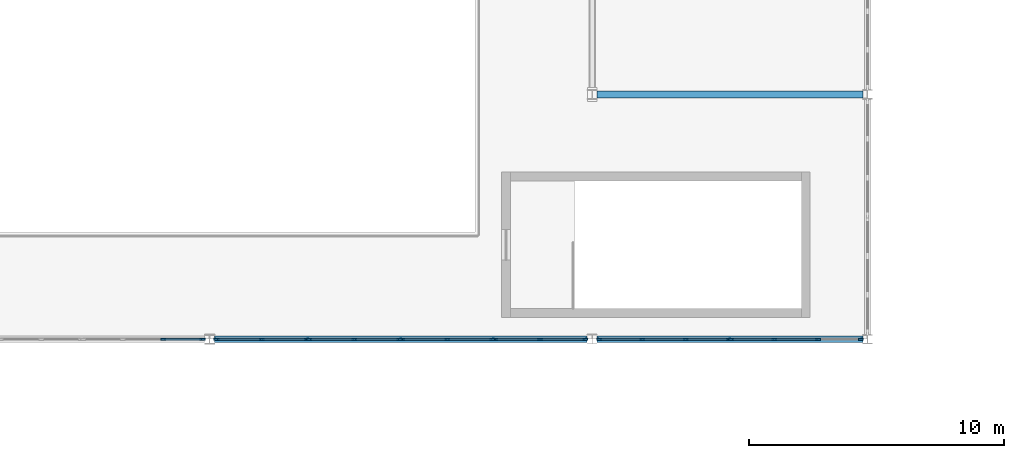
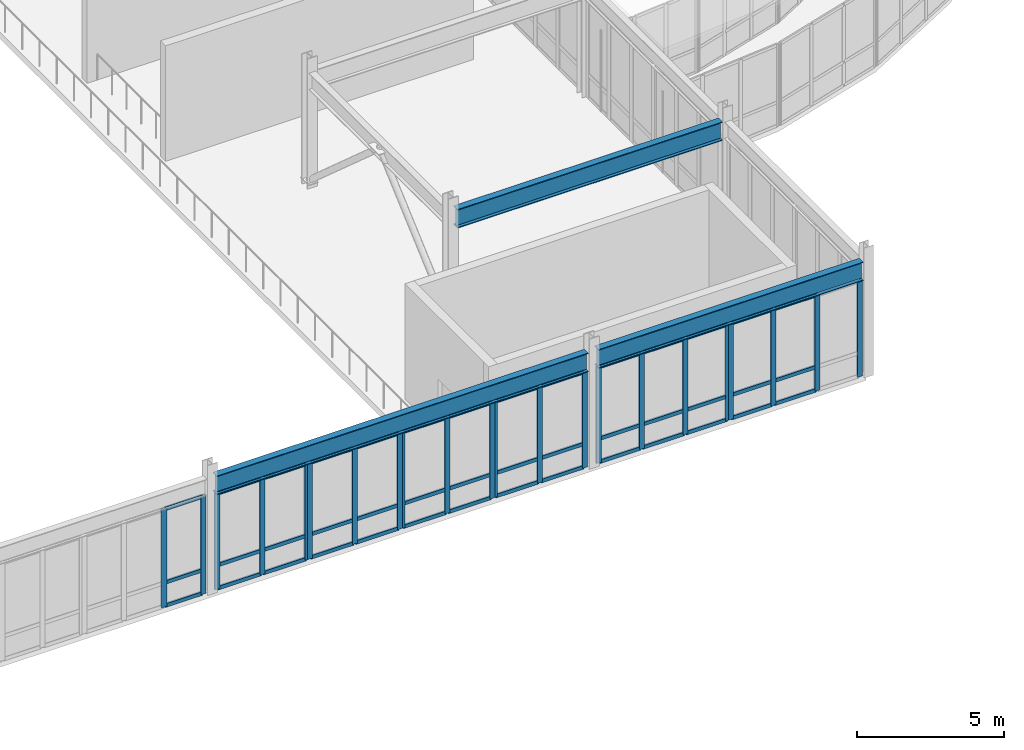
# One storey, part 15 of 68: 64 members, 3 beams, 7 elements without a shape of their own.
"""IFC4 building model written with IfcOpenShell, lengths in metres."""

from ifc_helpers import new_model, si_unit, direction, frame, origin, origin_2d, place, context, subcontext, project, spatial, rectangle, i_section, extrude, material, material_profile, profile_set, type_object, element, aggregate, save


model = new_model("IFC4")

# Units and contexts
model_context = context("Model", 3, precision=1e-05, world=origin(), true_north=direction((0.0, 1.0)))
body_context = subcontext(model_context, "Body", "Model", "MODEL_VIEW")
ifc_project = project(units=[si_unit("LENGTHUNIT", "METRE"), si_unit("AREAUNIT", "SQUARE_METRE"), si_unit("VOLUMEUNIT", "CUBIC_METRE"), si_unit("PLANEANGLEUNIT", "RADIAN"), si_unit("MASSUNIT", "GRAM", prefix="KILO")], contexts=[model_context])

# Site, building, storey
site_placement = place(None, origin())
site = spatial("IfcSite", under=ifc_project, at=site_placement, CompositionType="ELEMENT")
building_placement = place(site_placement, origin())
building = spatial("IfcBuilding", under=site, at=building_placement, Name="Veldera Park Congress Hotel", CompositionType="ELEMENT")
storey_placement = place(building_placement, frame((0.0, 0.0, 10.800048828125)))
storey = spatial("IfcBuildingStorey", under=building, at=storey_placement, Name="L02", CompositionType="ELEMENT", Elevation=10.800048828125)

# Beams
ifc_material_1 = material(Name="Steel ASTM A992 Gr.50", Category="steel")
ifc_material_profile_1 = material_profile(ifc_material_1, i_section(OverallWidth=0.26708984375, OverallDepth=0.779052734375, WebThickness=0.0166015625, FlangeThickness=0.030029296875, at=origin_2d()), Name="W30X148")
ifc_profile_set_1 = profile_set([ifc_material_profile_1], Name="Steel ASTM A992 Gr.50")
beam_type = type_object("IfcBeamType", Name="BM-W30", PredefinedType="BEAM", material=ifc_profile_set_1)
beam_1_placement = place(storey_placement, frame((-27.202880859375, -21.0, 4.410400390625), z_axis=(1.0, 0.0, 0.0), x_axis=(0.0, 1.0, 0.0)))
element("IfcBeam", 1, at=beam_1_placement, inside=storey, type_object=beam_type, Name="L02 Girder BM-W30 844", PredefinedType="BEAM", context=body_context, shape_type="SweptSolid", body=[
    extrude(i_section(OverallWidth=0.26708984375, OverallDepth=0.779052734375, WebThickness=0.0166015625, FlangeThickness=0.030029296875, at=origin_2d()), origin(), (0.0, 0.0, 1.0), 14.603271484375),
])
beam_2_placement = place(storey_placement, frame((-12.200439453125, -21.0, 4.410400390625), z_axis=(1.0, 0.0, 0.0), x_axis=(0.0, 1.0, 0.0)))
element("IfcBeam", 2, at=beam_2_placement, inside=storey, type_object=beam_type, Name="L02 Girder BM-W30 845", PredefinedType="BEAM", context=body_context, shape_type="SweptSolid", body=[
    extrude(i_section(OverallWidth=0.26708984375, OverallDepth=0.779052734375, WebThickness=0.0166015625, FlangeThickness=0.030029296875, at=origin_2d()), origin(), (0.0, 0.0, 1.0), 10.413818359375),
])
beam_3_placement = place(storey_placement, frame((-12.201416015625, -11.39990234375, 4.410400390625), z_axis=(1.0, 0.0, 0.0), x_axis=(0.0, 1.0, 0.0)))
element("IfcBeam", 3, at=beam_3_placement, inside=storey, type_object=beam_type, Name="L02 Girder BM-W30 851", PredefinedType="BEAM", context=body_context, shape_type="SweptSolid", body=[
    extrude(i_section(OverallWidth=0.26708984375, OverallDepth=0.779052734375, WebThickness=0.0166015625, FlangeThickness=0.030029296875, at=origin_2d()), origin(), (0.0, 0.0, 1.0), 10.414794921875),
])

# Curtain wall, members
ifc_material_2 = material(Name="Low-E Triple Insulating Glass Unit (SHGC 0.22)", Category="glass")
curtain_wall_type = type_object("IfcCurtainWallType", Name="CW-CNG", PredefinedType="NOTDEFINED", material=ifc_material_2)
curtain_wall_1_placement = place(storey_placement, origin())
curtain_wall_1 = element("IfcCurtainWall", 4, at=curtain_wall_1_placement, inside=storey, type_object=curtain_wall_type, Name="L02 Curtain Wall CW3-V1S-L02-058", PredefinedType="NOTDEFINED")
ifc_material_3 = material(Name="Anodised Aluminium Alloy 6063-T6", Category="aluminium")
ifc_material_profile_2 = material_profile(ifc_material_3, rectangle(XDim=0.074951171875, YDim=0.199951171875, at=origin_2d()), Name="ALU 75x200")
ifc_profile_set_2 = profile_set([ifc_material_profile_2], Name="Anodised Aluminium Alloy 6063-T6")
member_type_1 = type_object("IfcMemberType", Name="CWM-200", PredefinedType="MULLION", material=ifc_profile_set_2)
member_1_placement = place(storey_placement, frame((-29.2197265625, -21.0, 0.0), z_axis=(0.0, 0.0, 1.0), x_axis=(0.0, 1.0, 0.0)))
member_1 = element("IfcMember", 5, at=member_1_placement, type_object=member_type_1, Name="CW-CNG mullion 3", PredefinedType="MULLION", context=body_context, shape_type="SweptSolid", body=[
    extrude(rectangle(XDim=0.074951171875, YDim=0.199951171875, at=origin_2d()), origin(), (0.0, 0.0, 1.0), 4.093994140625),
])
member_2_placement = place(storey_placement, frame((-27.674560546875, -21.0, 0.0), z_axis=(0.0, 0.0, 1.0), x_axis=(0.0, 1.0, 0.0)))
member_2 = element("IfcMember", 6, at=member_2_placement, type_object=member_type_1, Name="CW-CNG mullion 4", PredefinedType="MULLION", context=body_context, shape_type="SweptSolid", body=[
    extrude(rectangle(XDim=0.074951171875, YDim=0.199951171875, at=origin_2d()), origin(), (0.0, 0.0, 1.0), 4.093994140625),
])

curtain_wall_2_placement = place(storey_placement, origin())
curtain_wall_2 = element("IfcCurtainWall", 7, at=curtain_wall_2_placement, inside=storey, type_object=curtain_wall_type, Name="L02 Curtain Wall CW3-V1S-L02-059", PredefinedType="NOTDEFINED")
member_3_placement = place(storey_placement, frame((-27.12548828125, -21.0, 0.0), z_axis=(0.0, 0.0, 1.0), x_axis=(0.0, 1.0, 0.0)))
member_3 = element("IfcMember", 8, at=member_3_placement, type_object=member_type_1, Name="CW-CNG mullion 1", PredefinedType="MULLION", context=body_context, shape_type="SweptSolid", body=[
    extrude(rectangle(XDim=0.074951171875, YDim=0.199951171875, at=origin_2d()), origin(), (0.0, 0.0, 1.0), 4.015869140625),
])
member_4_placement = place(storey_placement, frame((-25.35888671875, -21.0, 0.0), z_axis=(0.0, 0.0, 1.0), x_axis=(0.0, 1.0, 0.0)))
member_4 = element("IfcMember", 9, at=member_4_placement, type_object=member_type_1, Name="CW-CNG mullion 2", PredefinedType="MULLION", context=body_context, shape_type="SweptSolid", body=[
    extrude(rectangle(XDim=0.074951171875, YDim=0.199951171875, at=origin_2d()), origin(), (0.0, 0.0, 1.0), 4.015869140625),
])
member_5_placement = place(storey_placement, frame((-23.592041015625, -21.0, 0.0), z_axis=(0.0, 0.0, 1.0), x_axis=(0.0, 1.0, 0.0)))
member_5 = element("IfcMember", 10, at=member_5_placement, type_object=member_type_1, Name="CW-CNG mullion 3", PredefinedType="MULLION", context=body_context, shape_type="SweptSolid", body=[
    extrude(rectangle(XDim=0.074951171875, YDim=0.199951171875, at=origin_2d()), origin(), (0.0, 0.0, 1.0), 4.015869140625),
])

curtain_wall_3_placement = place(storey_placement, origin())
curtain_wall_3 = element("IfcCurtainWall", 11, at=curtain_wall_3_placement, inside=storey, type_object=curtain_wall_type, Name="L02 Curtain Wall CW3-V1S-L02-060", PredefinedType="NOTDEFINED")
member_6_placement = place(storey_placement, frame((-23.487060546875, -21.0, 0.0), z_axis=(0.0, 0.0, 1.0), x_axis=(0.0, 1.0, 0.0)))
member_6 = element("IfcMember", 12, at=member_6_placement, type_object=member_type_1, Name="CW-CNG mullion 1", PredefinedType="MULLION", context=body_context, shape_type="SweptSolid", body=[
    extrude(rectangle(XDim=0.074951171875, YDim=0.199951171875, at=origin_2d()), origin(), (0.0, 0.0, 1.0), 4.015869140625),
])
member_7_placement = place(storey_placement, frame((-21.720458984375, -21.0, 0.0), z_axis=(0.0, 0.0, 1.0), x_axis=(0.0, 1.0, 0.0)))
member_7 = element("IfcMember", 13, at=member_7_placement, type_object=member_type_1, Name="CW-CNG mullion 2", PredefinedType="MULLION", context=body_context, shape_type="SweptSolid", body=[
    extrude(rectangle(XDim=0.074951171875, YDim=0.199951171875, at=origin_2d()), origin(), (0.0, 0.0, 1.0), 4.015869140625),
])
member_8_placement = place(storey_placement, frame((-19.95361328125, -21.0, 0.0), z_axis=(0.0, 0.0, 1.0), x_axis=(0.0, 1.0, 0.0)))
member_8 = element("IfcMember", 14, at=member_8_placement, type_object=member_type_1, Name="CW-CNG mullion 3", PredefinedType="MULLION", context=body_context, shape_type="SweptSolid", body=[
    extrude(rectangle(XDim=0.074951171875, YDim=0.199951171875, at=origin_2d()), origin(), (0.0, 0.0, 1.0), 4.015869140625),
])

curtain_wall_4_placement = place(storey_placement, origin())
curtain_wall_4 = element("IfcCurtainWall", 15, at=curtain_wall_4_placement, inside=storey, type_object=curtain_wall_type, Name="L02 Curtain Wall CW3-V1S-L02-061", PredefinedType="NOTDEFINED")
member_9_placement = place(storey_placement, frame((-19.8486328125, -21.0, 0.0), z_axis=(0.0, 0.0, 1.0), x_axis=(0.0, 1.0, 0.0)))
member_9 = element("IfcMember", 16, at=member_9_placement, type_object=member_type_1, Name="CW-CNG mullion 1", PredefinedType="MULLION", context=body_context, shape_type="SweptSolid", body=[
    extrude(rectangle(XDim=0.074951171875, YDim=0.199951171875, at=origin_2d()), origin(), (0.0, 0.0, 1.0), 4.015869140625),
])
member_10_placement = place(storey_placement, frame((-18.08203125, -21.0, 0.0), z_axis=(0.0, 0.0, 1.0), x_axis=(0.0, 1.0, 0.0)))
member_10 = element("IfcMember", 17, at=member_10_placement, type_object=member_type_1, Name="CW-CNG mullion 2", PredefinedType="MULLION", context=body_context, shape_type="SweptSolid", body=[
    extrude(rectangle(XDim=0.074951171875, YDim=0.199951171875, at=origin_2d()), origin(), (0.0, 0.0, 1.0), 4.015869140625),
])
member_11_placement = place(storey_placement, frame((-16.3154296875, -21.0, 0.0), z_axis=(0.0, 0.0, 1.0), x_axis=(0.0, 1.0, 0.0)))
member_11 = element("IfcMember", 18, at=member_11_placement, type_object=member_type_1, Name="CW-CNG mullion 3", PredefinedType="MULLION", context=body_context, shape_type="SweptSolid", body=[
    extrude(rectangle(XDim=0.074951171875, YDim=0.199951171875, at=origin_2d()), origin(), (0.0, 0.0, 1.0), 4.015869140625),
])

curtain_wall_5_placement = place(storey_placement, origin())
curtain_wall_5 = element("IfcCurtainWall", 19, at=curtain_wall_5_placement, inside=storey, type_object=curtain_wall_type, Name="L02 Curtain Wall CW3-V1S-L02-062", PredefinedType="NOTDEFINED")
member_12_placement = place(storey_placement, frame((-16.210205078125, -21.0, 0.0), z_axis=(0.0, 0.0, 1.0), x_axis=(0.0, 1.0, 0.0)))
member_12 = element("IfcMember", 20, at=member_12_placement, type_object=member_type_1, Name="CW-CNG mullion 1", PredefinedType="MULLION", context=body_context, shape_type="SweptSolid", body=[
    extrude(rectangle(XDim=0.074951171875, YDim=0.199951171875, at=origin_2d()), origin(), (0.0, 0.0, 1.0), 4.015869140625),
])
member_13_placement = place(storey_placement, frame((-14.443603515625, -21.0, 0.0), z_axis=(0.0, 0.0, 1.0), x_axis=(0.0, 1.0, 0.0)))
member_13 = element("IfcMember", 21, at=member_13_placement, type_object=member_type_1, Name="CW-CNG mullion 2", PredefinedType="MULLION", context=body_context, shape_type="SweptSolid", body=[
    extrude(rectangle(XDim=0.074951171875, YDim=0.199951171875, at=origin_2d()), origin(), (0.0, 0.0, 1.0), 4.015869140625),
])
member_14_placement = place(storey_placement, frame((-12.677001953125, -21.0, 0.0), z_axis=(0.0, 0.0, 1.0), x_axis=(0.0, 1.0, 0.0)))
member_14 = element("IfcMember", 22, at=member_14_placement, type_object=member_type_1, Name="CW-CNG mullion 3", PredefinedType="MULLION", context=body_context, shape_type="SweptSolid", body=[
    extrude(rectangle(XDim=0.074951171875, YDim=0.199951171875, at=origin_2d()), origin(), (0.0, 0.0, 1.0), 4.015869140625),
])

curtain_wall_6_placement = place(storey_placement, origin())
curtain_wall_6 = element("IfcCurtainWall", 23, at=curtain_wall_6_placement, inside=storey, type_object=curtain_wall_type, Name="L02 Curtain Wall CW3-V1S-L02-063", PredefinedType="NOTDEFINED")
member_15_placement = place(storey_placement, frame((-12.123046875, -21.0, 0.0), z_axis=(0.0, 0.0, 1.0), x_axis=(0.0, 1.0, 0.0)))
member_15 = element("IfcMember", 24, at=member_15_placement, type_object=member_type_1, Name="CW-CNG mullion 1", PredefinedType="MULLION", context=body_context, shape_type="SweptSolid", body=[
    extrude(rectangle(XDim=0.074951171875, YDim=0.199951171875, at=origin_2d()), origin(), (0.0, 0.0, 1.0), 4.015869140625),
])
member_16_placement = place(storey_placement, frame((-10.443115234375, -21.0, 0.0), z_axis=(0.0, 0.0, 1.0), x_axis=(0.0, 1.0, 0.0)))
member_16 = element("IfcMember", 25, at=member_16_placement, type_object=member_type_1, Name="CW-CNG mullion 2", PredefinedType="MULLION", context=body_context, shape_type="SweptSolid", body=[
    extrude(rectangle(XDim=0.074951171875, YDim=0.199951171875, at=origin_2d()), origin(), (0.0, 0.0, 1.0), 4.015869140625),
])
member_17_placement = place(storey_placement, frame((-8.725830078125, -21.0, 0.0), z_axis=(0.0, 0.0, 1.0), x_axis=(0.0, 1.0, 0.0)))
member_17 = element("IfcMember", 26, at=member_17_placement, type_object=member_type_1, Name="CW-CNG mullion 3", PredefinedType="MULLION", context=body_context, shape_type="SweptSolid", body=[
    extrude(rectangle(XDim=0.074951171875, YDim=0.199951171875, at=origin_2d()), origin(), (0.0, 0.0, 1.0), 4.015869140625),
])
member_18_placement = place(storey_placement, frame((-7.0458984375, -21.0, 0.0), z_axis=(0.0, 0.0, 1.0), x_axis=(0.0, 1.0, 0.0)))
member_18 = element("IfcMember", 27, at=member_18_placement, type_object=member_type_1, Name="CW-CNG mullion 4", PredefinedType="MULLION", context=body_context, shape_type="SweptSolid", body=[
    extrude(rectangle(XDim=0.074951171875, YDim=0.199951171875, at=origin_2d()), origin(), (0.0, 0.0, 1.0), 4.015869140625),
])

curtain_wall_7_placement = place(storey_placement, origin())
curtain_wall_7 = element("IfcCurtainWall", 28, at=curtain_wall_7_placement, inside=storey, type_object=curtain_wall_type, Name="L02 Curtain Wall CW3-V1S-L02-064", PredefinedType="NOTDEFINED")
member_19_placement = place(storey_placement, frame((-6.94091796875, -21.0, 0.0), z_axis=(0.0, 0.0, 1.0), x_axis=(0.0, 1.0, 0.0)))
member_19 = element("IfcMember", 29, at=member_19_placement, type_object=member_type_1, Name="CW-CNG mullion 1", PredefinedType="MULLION", context=body_context, shape_type="SweptSolid", body=[
    extrude(rectangle(XDim=0.074951171875, YDim=0.199951171875, at=origin_2d()), origin(), (0.0, 0.0, 1.0), 4.015869140625),
])
member_20_placement = place(storey_placement, frame((-5.26123046875, -21.0, 0.0), z_axis=(0.0, 0.0, 1.0), x_axis=(0.0, 1.0, 0.0)))
member_20 = element("IfcMember", 30, at=member_20_placement, type_object=member_type_1, Name="CW-CNG mullion 2", PredefinedType="MULLION", context=body_context, shape_type="SweptSolid", body=[
    extrude(rectangle(XDim=0.074951171875, YDim=0.199951171875, at=origin_2d()), origin(), (0.0, 0.0, 1.0), 4.015869140625),
])
member_21_placement = place(storey_placement, frame((-3.5439453125, -21.0, 0.0), z_axis=(0.0, 0.0, 1.0), x_axis=(0.0, 1.0, 0.0)))
member_21 = element("IfcMember", 31, at=member_21_placement, type_object=member_type_1, Name="CW-CNG mullion 3", PredefinedType="MULLION", context=body_context, shape_type="SweptSolid", body=[
    extrude(rectangle(XDim=0.074951171875, YDim=0.199951171875, at=origin_2d()), origin(), (0.0, 0.0, 1.0), 4.015869140625),
])
member_22_placement = place(storey_placement, frame((-1.864013671875, -21.0, 0.0), z_axis=(0.0, 0.0, 1.0), x_axis=(0.0, 1.0, 0.0)))
member_22 = element("IfcMember", 32, at=member_22_placement, type_object=member_type_1, Name="CW-CNG mullion 4", PredefinedType="MULLION", context=body_context, shape_type="SweptSolid", body=[
    extrude(rectangle(XDim=0.074951171875, YDim=0.199951171875, at=origin_2d()), origin(), (0.0, 0.0, 1.0), 4.015869140625),
])

# Member
ifc_material_profile_3 = material_profile(ifc_material_3, rectangle(XDim=0.074951171875, YDim=0.14990234375, at=origin_2d()), Name="ALU 75x150")
ifc_profile_set_3 = profile_set([ifc_material_profile_3], Name="Anodised Aluminium Alloy 6063-T6")
member_type_2 = type_object("IfcMemberType", Name="CWT-150", PredefinedType="USERDEFINED", material=ifc_profile_set_3)
member_23_placement = place(storey_placement, frame((-29.18212890625, -21.0, 0.037353515625), z_axis=(1.0, 0.0, 0.0), x_axis=(0.0, 1.0, 0.0)))
member_23 = element("IfcMember", 33, at=member_23_placement, type_object=member_type_2, Name="CW-CNG transom 3.1", ObjectType="TRANSOM", PredefinedType="USERDEFINED", context=body_context, shape_type="SweptSolid", body=[
    extrude(rectangle(XDim=0.074951171875, YDim=0.14990234375, at=origin_2d()), origin(), (0.0, 0.0, 1.0), 1.47021484375),
])

member_24_placement = place(storey_placement, frame((-29.18212890625, -21.0, 1.0), z_axis=(1.0, 0.0, 0.0), x_axis=(0.0, 1.0, 0.0)))
member_24 = element("IfcMember", 34, at=member_24_placement, type_object=member_type_2, Name="CW-CNG transom 3.2", ObjectType="TRANSOM", PredefinedType="USERDEFINED", context=body_context, shape_type="SweptSolid", body=[
    extrude(rectangle(XDim=0.074951171875, YDim=0.14990234375, at=origin_2d()), origin(), (0.0, 0.0, 1.0), 1.47021484375),
])

member_25_placement = place(storey_placement, frame((-29.18212890625, -21.0, 4.056396484375), z_axis=(1.0, 0.0, 0.0), x_axis=(0.0, 1.0, 0.0)))
member_25 = element("IfcMember", 35, at=member_25_placement, type_object=member_type_2, Name="CW-CNG transom 3.3", ObjectType="TRANSOM", PredefinedType="USERDEFINED", context=body_context, shape_type="SweptSolid", body=[
    extrude(rectangle(XDim=0.074951171875, YDim=0.14990234375, at=origin_2d()), origin(), (0.0, 0.0, 1.0), 1.47021484375),
])

aggregate(curtain_wall_1, [member_1, member_2, member_23, member_24, member_25])

member_26_placement = place(storey_placement, frame((-27.087890625, -21.0, 0.037353515625), z_axis=(1.0, 0.0, 0.0), x_axis=(0.0, 1.0, 0.0)))
member_26 = element("IfcMember", 36, at=member_26_placement, type_object=member_type_2, Name="CW-CNG transom 1.1", ObjectType="TRANSOM", PredefinedType="USERDEFINED", context=body_context, shape_type="SweptSolid", body=[
    extrude(rectangle(XDim=0.074951171875, YDim=0.14990234375, at=origin_2d()), origin(), (0.0, 0.0, 1.0), 1.691650390625),
])

member_27_placement = place(storey_placement, frame((-27.087890625, -21.0, 1.0), z_axis=(1.0, 0.0, 0.0), x_axis=(0.0, 1.0, 0.0)))
member_27 = element("IfcMember", 37, at=member_27_placement, type_object=member_type_2, Name="CW-CNG transom 1.2", ObjectType="TRANSOM", PredefinedType="USERDEFINED", context=body_context, shape_type="SweptSolid", body=[
    extrude(rectangle(XDim=0.074951171875, YDim=0.14990234375, at=origin_2d()), origin(), (0.0, 0.0, 1.0), 1.691650390625),
])

member_28_placement = place(storey_placement, frame((-27.087890625, -21.0, 3.978515625), z_axis=(1.0, 0.0, 0.0), x_axis=(0.0, 1.0, 0.0)))
member_28 = element("IfcMember", 38, at=member_28_placement, type_object=member_type_2, Name="CW-CNG transom 1.3", ObjectType="TRANSOM", PredefinedType="USERDEFINED", context=body_context, shape_type="SweptSolid", body=[
    extrude(rectangle(XDim=0.074951171875, YDim=0.14990234375, at=origin_2d()), origin(), (0.0, 0.0, 1.0), 1.691650390625),
])

member_29_placement = place(storey_placement, frame((-25.3212890625, -21.0, 0.037353515625), z_axis=(1.0, 0.0, 0.0), x_axis=(0.0, 1.0, 0.0)))
member_29 = element("IfcMember", 39, at=member_29_placement, type_object=member_type_2, Name="CW-CNG transom 2.1", ObjectType="TRANSOM", PredefinedType="USERDEFINED", context=body_context, shape_type="SweptSolid", body=[
    extrude(rectangle(XDim=0.074951171875, YDim=0.14990234375, at=origin_2d()), origin(), (0.0, 0.0, 1.0), 1.691650390625),
])

member_30_placement = place(storey_placement, frame((-25.3212890625, -21.0, 1.0), z_axis=(1.0, 0.0, 0.0), x_axis=(0.0, 1.0, 0.0)))
member_30 = element("IfcMember", 40, at=member_30_placement, type_object=member_type_2, Name="CW-CNG transom 2.2", ObjectType="TRANSOM", PredefinedType="USERDEFINED", context=body_context, shape_type="SweptSolid", body=[
    extrude(rectangle(XDim=0.074951171875, YDim=0.14990234375, at=origin_2d()), origin(), (0.0, 0.0, 1.0), 1.691650390625),
])

member_31_placement = place(storey_placement, frame((-25.3212890625, -21.0, 3.978515625), z_axis=(1.0, 0.0, 0.0), x_axis=(0.0, 1.0, 0.0)))
member_31 = element("IfcMember", 41, at=member_31_placement, type_object=member_type_2, Name="CW-CNG transom 2.3", ObjectType="TRANSOM", PredefinedType="USERDEFINED", context=body_context, shape_type="SweptSolid", body=[
    extrude(rectangle(XDim=0.074951171875, YDim=0.14990234375, at=origin_2d()), origin(), (0.0, 0.0, 1.0), 1.691650390625),
])

aggregate(curtain_wall_2, [member_3, member_4, member_5, member_26, member_27, member_28, member_29, member_30, member_31])

member_32_placement = place(storey_placement, frame((-23.44970703125, -21.0, 0.037353515625), z_axis=(1.0, 0.0, 0.0), x_axis=(0.0, 1.0, 0.0)))
member_32 = element("IfcMember", 42, at=member_32_placement, type_object=member_type_2, Name="CW-CNG transom 1.1", ObjectType="TRANSOM", PredefinedType="USERDEFINED", context=body_context, shape_type="SweptSolid", body=[
    extrude(rectangle(XDim=0.074951171875, YDim=0.14990234375, at=origin_2d()), origin(), (0.0, 0.0, 1.0), 1.69189453125),
])

member_33_placement = place(storey_placement, frame((-23.44970703125, -21.0, 1.0), z_axis=(1.0, 0.0, 0.0), x_axis=(0.0, 1.0, 0.0)))
member_33 = element("IfcMember", 43, at=member_33_placement, type_object=member_type_2, Name="CW-CNG transom 1.2", ObjectType="TRANSOM", PredefinedType="USERDEFINED", context=body_context, shape_type="SweptSolid", body=[
    extrude(rectangle(XDim=0.074951171875, YDim=0.14990234375, at=origin_2d()), origin(), (0.0, 0.0, 1.0), 1.69189453125),
])

member_34_placement = place(storey_placement, frame((-23.44970703125, -21.0, 3.978515625), z_axis=(1.0, 0.0, 0.0), x_axis=(0.0, 1.0, 0.0)))
member_34 = element("IfcMember", 44, at=member_34_placement, type_object=member_type_2, Name="CW-CNG transom 1.3", ObjectType="TRANSOM", PredefinedType="USERDEFINED", context=body_context, shape_type="SweptSolid", body=[
    extrude(rectangle(XDim=0.074951171875, YDim=0.14990234375, at=origin_2d()), origin(), (0.0, 0.0, 1.0), 1.69189453125),
])

member_35_placement = place(storey_placement, frame((-21.682861328125, -21.0, 0.037353515625), z_axis=(1.0, 0.0, 0.0), x_axis=(0.0, 1.0, 0.0)))
member_35 = element("IfcMember", 45, at=member_35_placement, type_object=member_type_2, Name="CW-CNG transom 2.1", ObjectType="TRANSOM", PredefinedType="USERDEFINED", context=body_context, shape_type="SweptSolid", body=[
    extrude(rectangle(XDim=0.074951171875, YDim=0.14990234375, at=origin_2d()), origin(), (0.0, 0.0, 1.0), 1.691650390625),
])

member_36_placement = place(storey_placement, frame((-21.682861328125, -21.0, 1.0), z_axis=(1.0, 0.0, 0.0), x_axis=(0.0, 1.0, 0.0)))
member_36 = element("IfcMember", 46, at=member_36_placement, type_object=member_type_2, Name="CW-CNG transom 2.2", ObjectType="TRANSOM", PredefinedType="USERDEFINED", context=body_context, shape_type="SweptSolid", body=[
    extrude(rectangle(XDim=0.074951171875, YDim=0.14990234375, at=origin_2d()), origin(), (0.0, 0.0, 1.0), 1.691650390625),
])

member_37_placement = place(storey_placement, frame((-21.682861328125, -21.0, 3.978515625), z_axis=(1.0, 0.0, 0.0), x_axis=(0.0, 1.0, 0.0)))
member_37 = element("IfcMember", 47, at=member_37_placement, type_object=member_type_2, Name="CW-CNG transom 2.3", ObjectType="TRANSOM", PredefinedType="USERDEFINED", context=body_context, shape_type="SweptSolid", body=[
    extrude(rectangle(XDim=0.074951171875, YDim=0.14990234375, at=origin_2d()), origin(), (0.0, 0.0, 1.0), 1.691650390625),
])

aggregate(curtain_wall_3, [member_6, member_7, member_8, member_32, member_33, member_34, member_35, member_36, member_37])

member_38_placement = place(storey_placement, frame((-19.811279296875, -21.0, 0.037353515625), z_axis=(1.0, 0.0, 0.0), x_axis=(0.0, 1.0, 0.0)))
member_38 = element("IfcMember", 48, at=member_38_placement, type_object=member_type_2, Name="CW-CNG transom 1.1", ObjectType="TRANSOM", PredefinedType="USERDEFINED", context=body_context, shape_type="SweptSolid", body=[
    extrude(rectangle(XDim=0.074951171875, YDim=0.14990234375, at=origin_2d()), origin(), (0.0, 0.0, 1.0), 1.691650390625),
])

member_39_placement = place(storey_placement, frame((-19.811279296875, -21.0, 1.0), z_axis=(1.0, 0.0, 0.0), x_axis=(0.0, 1.0, 0.0)))
member_39 = element("IfcMember", 49, at=member_39_placement, type_object=member_type_2, Name="CW-CNG transom 1.2", ObjectType="TRANSOM", PredefinedType="USERDEFINED", context=body_context, shape_type="SweptSolid", body=[
    extrude(rectangle(XDim=0.074951171875, YDim=0.14990234375, at=origin_2d()), origin(), (0.0, 0.0, 1.0), 1.691650390625),
])

member_40_placement = place(storey_placement, frame((-19.811279296875, -21.0, 3.978515625), z_axis=(1.0, 0.0, 0.0), x_axis=(0.0, 1.0, 0.0)))
member_40 = element("IfcMember", 50, at=member_40_placement, type_object=member_type_2, Name="CW-CNG transom 1.3", ObjectType="TRANSOM", PredefinedType="USERDEFINED", context=body_context, shape_type="SweptSolid", body=[
    extrude(rectangle(XDim=0.074951171875, YDim=0.14990234375, at=origin_2d()), origin(), (0.0, 0.0, 1.0), 1.691650390625),
])

member_41_placement = place(storey_placement, frame((-18.04443359375, -21.0, 0.037353515625), z_axis=(1.0, 0.0, 0.0), x_axis=(0.0, 1.0, 0.0)))
member_41 = element("IfcMember", 51, at=member_41_placement, type_object=member_type_2, Name="CW-CNG transom 2.1", ObjectType="TRANSOM", PredefinedType="USERDEFINED", context=body_context, shape_type="SweptSolid", body=[
    extrude(rectangle(XDim=0.074951171875, YDim=0.14990234375, at=origin_2d()), origin(), (0.0, 0.0, 1.0), 1.691650390625),
])

member_42_placement = place(storey_placement, frame((-18.04443359375, -21.0, 1.0), z_axis=(1.0, 0.0, 0.0), x_axis=(0.0, 1.0, 0.0)))
member_42 = element("IfcMember", 52, at=member_42_placement, type_object=member_type_2, Name="CW-CNG transom 2.2", ObjectType="TRANSOM", PredefinedType="USERDEFINED", context=body_context, shape_type="SweptSolid", body=[
    extrude(rectangle(XDim=0.074951171875, YDim=0.14990234375, at=origin_2d()), origin(), (0.0, 0.0, 1.0), 1.691650390625),
])

member_43_placement = place(storey_placement, frame((-18.04443359375, -21.0, 3.978515625), z_axis=(1.0, 0.0, 0.0), x_axis=(0.0, 1.0, 0.0)))
member_43 = element("IfcMember", 53, at=member_43_placement, type_object=member_type_2, Name="CW-CNG transom 2.3", ObjectType="TRANSOM", PredefinedType="USERDEFINED", context=body_context, shape_type="SweptSolid", body=[
    extrude(rectangle(XDim=0.074951171875, YDim=0.14990234375, at=origin_2d()), origin(), (0.0, 0.0, 1.0), 1.691650390625),
])

aggregate(curtain_wall_4, [member_9, member_10, member_11, member_38, member_39, member_40, member_41, member_42, member_43])

member_44_placement = place(storey_placement, frame((-16.1728515625, -21.0, 0.037353515625), z_axis=(1.0, 0.0, 0.0), x_axis=(0.0, 1.0, 0.0)))
member_44 = element("IfcMember", 54, at=member_44_placement, type_object=member_type_2, Name="CW-CNG transom 1.1", ObjectType="TRANSOM", PredefinedType="USERDEFINED", context=body_context, shape_type="SweptSolid", body=[
    extrude(rectangle(XDim=0.074951171875, YDim=0.14990234375, at=origin_2d()), origin(), (0.0, 0.0, 1.0), 1.691650390625),
])

member_45_placement = place(storey_placement, frame((-16.1728515625, -21.0, 1.0), z_axis=(1.0, 0.0, 0.0), x_axis=(0.0, 1.0, 0.0)))
member_45 = element("IfcMember", 55, at=member_45_placement, type_object=member_type_2, Name="CW-CNG transom 1.2", ObjectType="TRANSOM", PredefinedType="USERDEFINED", context=body_context, shape_type="SweptSolid", body=[
    extrude(rectangle(XDim=0.074951171875, YDim=0.14990234375, at=origin_2d()), origin(), (0.0, 0.0, 1.0), 1.691650390625),
])

member_46_placement = place(storey_placement, frame((-16.1728515625, -21.0, 3.978515625), z_axis=(1.0, 0.0, 0.0), x_axis=(0.0, 1.0, 0.0)))
member_46 = element("IfcMember", 56, at=member_46_placement, type_object=member_type_2, Name="CW-CNG transom 1.3", ObjectType="TRANSOM", PredefinedType="USERDEFINED", context=body_context, shape_type="SweptSolid", body=[
    extrude(rectangle(XDim=0.074951171875, YDim=0.14990234375, at=origin_2d()), origin(), (0.0, 0.0, 1.0), 1.691650390625),
])

member_47_placement = place(storey_placement, frame((-14.40625, -21.0, 0.037353515625), z_axis=(1.0, 0.0, 0.0), x_axis=(0.0, 1.0, 0.0)))
member_47 = element("IfcMember", 57, at=member_47_placement, type_object=member_type_2, Name="CW-CNG transom 2.1", ObjectType="TRANSOM", PredefinedType="USERDEFINED", context=body_context, shape_type="SweptSolid", body=[
    extrude(rectangle(XDim=0.074951171875, YDim=0.14990234375, at=origin_2d()), origin(), (0.0, 0.0, 1.0), 1.691650390625),
])

member_48_placement = place(storey_placement, frame((-14.40625, -21.0, 1.0), z_axis=(1.0, 0.0, 0.0), x_axis=(0.0, 1.0, 0.0)))
member_48 = element("IfcMember", 58, at=member_48_placement, type_object=member_type_2, Name="CW-CNG transom 2.2", ObjectType="TRANSOM", PredefinedType="USERDEFINED", context=body_context, shape_type="SweptSolid", body=[
    extrude(rectangle(XDim=0.074951171875, YDim=0.14990234375, at=origin_2d()), origin(), (0.0, 0.0, 1.0), 1.691650390625),
])

member_49_placement = place(storey_placement, frame((-14.40625, -21.0, 3.978515625), z_axis=(1.0, 0.0, 0.0), x_axis=(0.0, 1.0, 0.0)))
member_49 = element("IfcMember", 59, at=member_49_placement, type_object=member_type_2, Name="CW-CNG transom 2.3", ObjectType="TRANSOM", PredefinedType="USERDEFINED", context=body_context, shape_type="SweptSolid", body=[
    extrude(rectangle(XDim=0.074951171875, YDim=0.14990234375, at=origin_2d()), origin(), (0.0, 0.0, 1.0), 1.691650390625),
])

aggregate(curtain_wall_5, [member_12, member_13, member_14, member_44, member_45, member_46, member_47, member_48, member_49])

member_50_placement = place(storey_placement, frame((-12.08544921875, -21.0, 0.037353515625), z_axis=(1.0, 0.0, 0.0), x_axis=(0.0, 1.0, 0.0)))
member_50 = element("IfcMember", 60, at=member_50_placement, type_object=member_type_2, Name="CW-CNG transom 1.1", ObjectType="TRANSOM", PredefinedType="USERDEFINED", context=body_context, shape_type="SweptSolid", body=[
    extrude(rectangle(XDim=0.074951171875, YDim=0.14990234375, at=origin_2d()), origin(), (0.0, 0.0, 1.0), 1.604736328125),
])

member_51_placement = place(storey_placement, frame((-12.08544921875, -21.0, 1.0), z_axis=(1.0, 0.0, 0.0), x_axis=(0.0, 1.0, 0.0)))
member_51 = element("IfcMember", 61, at=member_51_placement, type_object=member_type_2, Name="CW-CNG transom 1.2", ObjectType="TRANSOM", PredefinedType="USERDEFINED", context=body_context, shape_type="SweptSolid", body=[
    extrude(rectangle(XDim=0.074951171875, YDim=0.14990234375, at=origin_2d()), origin(), (0.0, 0.0, 1.0), 1.604736328125),
])

member_52_placement = place(storey_placement, frame((-12.08544921875, -21.0, 3.978515625), z_axis=(1.0, 0.0, 0.0), x_axis=(0.0, 1.0, 0.0)))
member_52 = element("IfcMember", 62, at=member_52_placement, type_object=member_type_2, Name="CW-CNG transom 1.3", ObjectType="TRANSOM", PredefinedType="USERDEFINED", context=body_context, shape_type="SweptSolid", body=[
    extrude(rectangle(XDim=0.074951171875, YDim=0.14990234375, at=origin_2d()), origin(), (0.0, 0.0, 1.0), 1.604736328125),
])

member_53_placement = place(storey_placement, frame((-10.40576171875, -21.0, 0.037353515625), z_axis=(1.0, 0.0, 0.0), x_axis=(0.0, 1.0, 0.0)))
member_53 = element("IfcMember", 63, at=member_53_placement, type_object=member_type_2, Name="CW-CNG transom 2.1", ObjectType="TRANSOM", PredefinedType="USERDEFINED", context=body_context, shape_type="SweptSolid", body=[
    extrude(rectangle(XDim=0.074951171875, YDim=0.14990234375, at=origin_2d()), origin(), (0.0, 0.0, 1.0), 1.642333984375),
])

member_54_placement = place(storey_placement, frame((-10.40576171875, -21.0, 1.0), z_axis=(1.0, 0.0, 0.0), x_axis=(0.0, 1.0, 0.0)))
member_54 = element("IfcMember", 64, at=member_54_placement, type_object=member_type_2, Name="CW-CNG transom 2.2", ObjectType="TRANSOM", PredefinedType="USERDEFINED", context=body_context, shape_type="SweptSolid", body=[
    extrude(rectangle(XDim=0.074951171875, YDim=0.14990234375, at=origin_2d()), origin(), (0.0, 0.0, 1.0), 1.642333984375),
])

member_55_placement = place(storey_placement, frame((-10.40576171875, -21.0, 3.978515625), z_axis=(1.0, 0.0, 0.0), x_axis=(0.0, 1.0, 0.0)))
member_55 = element("IfcMember", 65, at=member_55_placement, type_object=member_type_2, Name="CW-CNG transom 2.3", ObjectType="TRANSOM", PredefinedType="USERDEFINED", context=body_context, shape_type="SweptSolid", body=[
    extrude(rectangle(XDim=0.074951171875, YDim=0.14990234375, at=origin_2d()), origin(), (0.0, 0.0, 1.0), 1.642333984375),
])

member_56_placement = place(storey_placement, frame((-8.688232421875, -21.0, 0.037353515625), z_axis=(1.0, 0.0, 0.0), x_axis=(0.0, 1.0, 0.0)))
member_56 = element("IfcMember", 66, at=member_56_placement, type_object=member_type_2, Name="CW-CNG transom 3.1", ObjectType="TRANSOM", PredefinedType="USERDEFINED", context=body_context, shape_type="SweptSolid", body=[
    extrude(rectangle(XDim=0.074951171875, YDim=0.14990234375, at=origin_2d()), origin(), (0.0, 0.0, 1.0), 1.604736328125),
])

member_57_placement = place(storey_placement, frame((-8.688232421875, -21.0, 1.0), z_axis=(1.0, 0.0, 0.0), x_axis=(0.0, 1.0, 0.0)))
member_57 = element("IfcMember", 67, at=member_57_placement, type_object=member_type_2, Name="CW-CNG transom 3.2", ObjectType="TRANSOM", PredefinedType="USERDEFINED", context=body_context, shape_type="SweptSolid", body=[
    extrude(rectangle(XDim=0.074951171875, YDim=0.14990234375, at=origin_2d()), origin(), (0.0, 0.0, 1.0), 1.604736328125),
])

member_58_placement = place(storey_placement, frame((-8.688232421875, -21.0, 3.978515625), z_axis=(1.0, 0.0, 0.0), x_axis=(0.0, 1.0, 0.0)))
member_58 = element("IfcMember", 68, at=member_58_placement, type_object=member_type_2, Name="CW-CNG transom 3.3", ObjectType="TRANSOM", PredefinedType="USERDEFINED", context=body_context, shape_type="SweptSolid", body=[
    extrude(rectangle(XDim=0.074951171875, YDim=0.14990234375, at=origin_2d()), origin(), (0.0, 0.0, 1.0), 1.604736328125),
])

aggregate(curtain_wall_6, [member_15, member_16, member_17, member_18, member_50, member_51, member_52, member_53, member_54, member_55, member_56, member_57, member_58])

member_59_placement = place(storey_placement, frame((-6.903564453125, -21.0, 0.037353515625), z_axis=(1.0, 0.0, 0.0), x_axis=(0.0, 1.0, 0.0)))
member_59 = element("IfcMember", 69, at=member_59_placement, type_object=member_type_2, Name="CW-CNG transom 1.1", ObjectType="TRANSOM", PredefinedType="USERDEFINED", context=body_context, shape_type="SweptSolid", body=[
    extrude(rectangle(XDim=0.074951171875, YDim=0.14990234375, at=origin_2d()), origin(), (0.0, 0.0, 1.0), 1.60498046875),
])

member_60_placement = place(storey_placement, frame((-6.903564453125, -21.0, 1.0), z_axis=(1.0, 0.0, 0.0), x_axis=(0.0, 1.0, 0.0)))
member_60 = element("IfcMember", 70, at=member_60_placement, type_object=member_type_2, Name="CW-CNG transom 1.2", ObjectType="TRANSOM", PredefinedType="USERDEFINED", context=body_context, shape_type="SweptSolid", body=[
    extrude(rectangle(XDim=0.074951171875, YDim=0.14990234375, at=origin_2d()), origin(), (0.0, 0.0, 1.0), 1.60498046875),
])

member_61_placement = place(storey_placement, frame((-6.903564453125, -21.0, 3.978515625), z_axis=(1.0, 0.0, 0.0), x_axis=(0.0, 1.0, 0.0)))
member_61 = element("IfcMember", 71, at=member_61_placement, type_object=member_type_2, Name="CW-CNG transom 1.3", ObjectType="TRANSOM", PredefinedType="USERDEFINED", context=body_context, shape_type="SweptSolid", body=[
    extrude(rectangle(XDim=0.074951171875, YDim=0.14990234375, at=origin_2d()), origin(), (0.0, 0.0, 1.0), 1.60498046875),
])

member_62_placement = place(storey_placement, frame((-5.2236328125, -21.0, 0.037353515625), z_axis=(1.0, 0.0, 0.0), x_axis=(0.0, 1.0, 0.0)))
member_62 = element("IfcMember", 72, at=member_62_placement, type_object=member_type_2, Name="CW-CNG transom 2.1", ObjectType="TRANSOM", PredefinedType="USERDEFINED", context=body_context, shape_type="SweptSolid", body=[
    extrude(rectangle(XDim=0.074951171875, YDim=0.14990234375, at=origin_2d()), origin(), (0.0, 0.0, 1.0), 1.642333984375),
])

member_63_placement = place(storey_placement, frame((-5.2236328125, -21.0, 1.0), z_axis=(1.0, 0.0, 0.0), x_axis=(0.0, 1.0, 0.0)))
member_63 = element("IfcMember", 73, at=member_63_placement, type_object=member_type_2, Name="CW-CNG transom 2.2", ObjectType="TRANSOM", PredefinedType="USERDEFINED", context=body_context, shape_type="SweptSolid", body=[
    extrude(rectangle(XDim=0.074951171875, YDim=0.14990234375, at=origin_2d()), origin(), (0.0, 0.0, 1.0), 1.642333984375),
])

member_64_placement = place(storey_placement, frame((-5.2236328125, -21.0, 3.978515625), z_axis=(1.0, 0.0, 0.0), x_axis=(0.0, 1.0, 0.0)))
member_64 = element("IfcMember", 74, at=member_64_placement, type_object=member_type_2, Name="CW-CNG transom 2.3", ObjectType="TRANSOM", PredefinedType="USERDEFINED", context=body_context, shape_type="SweptSolid", body=[
    extrude(rectangle(XDim=0.074951171875, YDim=0.14990234375, at=origin_2d()), origin(), (0.0, 0.0, 1.0), 1.642333984375),
])

aggregate(curtain_wall_7, [member_19, member_20, member_21, member_22, member_59, member_60, member_61, member_62, member_63, member_64])

save(model, "model.ifc")
